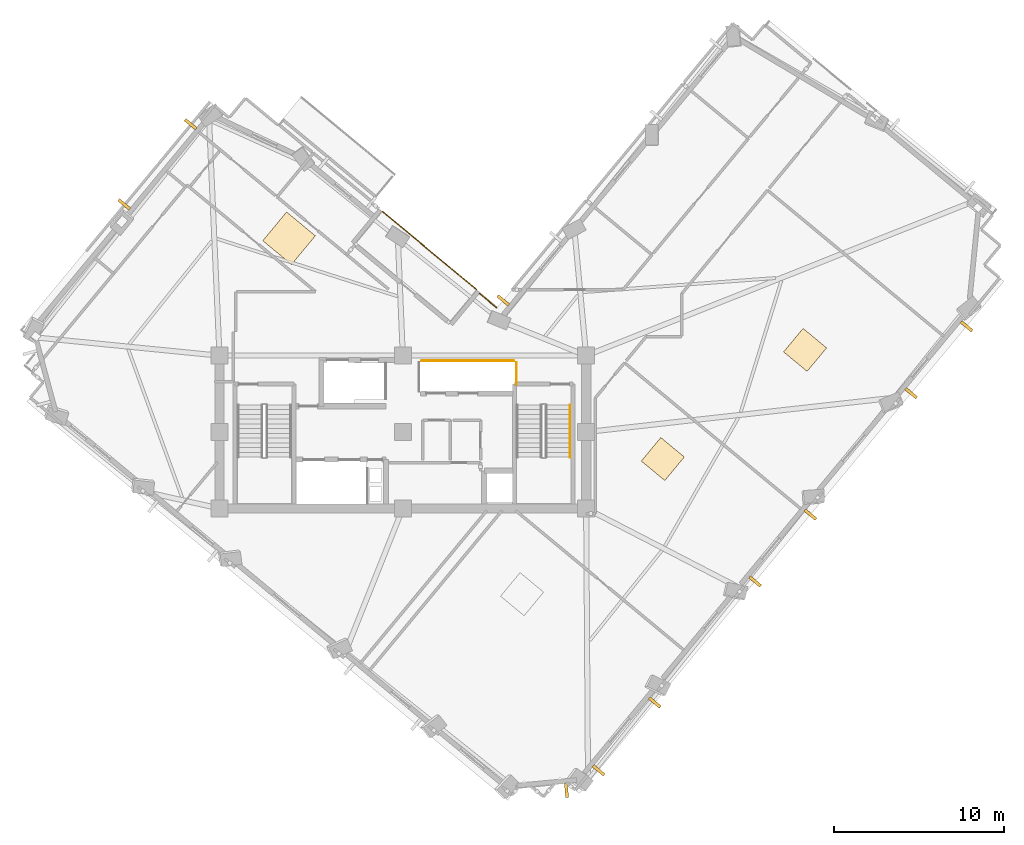
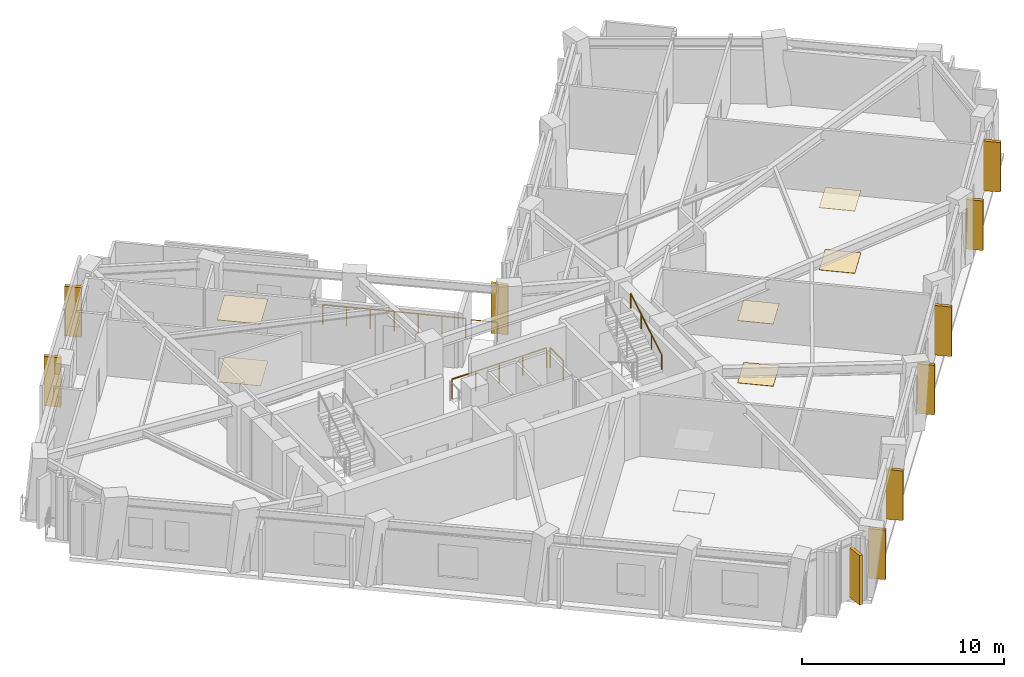
# One storey, part 9 of 10: 10 shading devices, 6 coverings, 5 railings.
"""IFC4 building model written with IfcOpenShell, lengths in metres."""

from ifc_helpers import new_model, si_unit, direction, frame, origin, origin_2d, place, context, subcontext, project, spatial, rectangle, circle, extrude, material, layer, layer_set, type_object, element, save


model = new_model("IFC4")

# Units and contexts
model_context = context("Model", 3, precision=1e-05, world=origin(), true_north=direction((0.0, 1.0)))
body_context = subcontext(model_context, "Body", "Model", "MODEL_VIEW")
ifc_project = project(units=[si_unit("LENGTHUNIT", "METRE"), si_unit("AREAUNIT", "SQUARE_METRE"), si_unit("VOLUMEUNIT", "CUBIC_METRE"), si_unit("PLANEANGLEUNIT", "RADIAN"), si_unit("MASSUNIT", "GRAM", prefix="KILO")], contexts=[model_context])

# Site, building, storey
site_placement = place(None, origin())
site = spatial("IfcSite", under=ifc_project, at=site_placement, CompositionType="ELEMENT")
building_placement = place(site_placement, origin())
building = spatial("IfcBuilding", under=site, at=building_placement, Name="Gaonmaruhae Medical Tower", CompositionType="ELEMENT")
storey_placement = place(building_placement, frame((0.0, 0.0, 239.199951171875)))
storey = spatial("IfcBuildingStorey", under=building, at=storey_placement, Name="L57", CompositionType="ELEMENT", Elevation=239.199951171875)

# Coverings
ifc_material_1 = material(Name="Acoustic mineral ceiling tile", Category="finish")
ifc_layer_1 = layer(ifc_material_1, 0.02490234375)
ifc_layer_set_1 = layer_set([ifc_layer_1], Name="Acoustic mineral ceiling tile")
covering_type_1 = type_object("IfcCoveringType", Name="CLG-01 Antimicrobial Acoustic Mineral Ceiling", PredefinedType="CEILING", material=ifc_layer_set_1)
covering_1_placement = place(storey_placement, frame((18.0986328125, 23.71728515625, 3.735107421875), z_axis=(0.0, 0.0, 1.0), x_axis=(0.638096146601, 0.769956692089, 0.0)))
element("IfcCovering", 1, at=covering_1_placement, inside=storey, type_object=covering_type_1, Name="L57 Clinical Corridor Acoustic Ceiling", PredefinedType="CEILING", context=body_context, shape_type="SweptSolid", body=[
    extrude(rectangle(XDim=2.199951171875, YDim=2.199951171875, at=origin_2d()), origin(), (0.0, 0.0, 1.0), 0.02490234375),
])
for number, where, z_axis, x_axis, name in (
    (2, (40.1162109375, 10.712158203125, 3.755126953125), (0.0, 0.0, 1.0), (0.638096146601, 0.769956692089, 0.0), "L57 Clinical Room Acoustic Ceiling 3"),
    (3, (48.498779296875, 17.14111328125, 3.755126953125), (0.0, 0.0, 1.0), (0.638096146601, 0.769956692089, 0.0), "L57 Clinical Room Acoustic Ceiling 4"),
):
    element("IfcCovering", number, at=place(storey_placement, frame(where, z_axis=z_axis, x_axis=x_axis)), inside=storey, type_object=covering_type_1, Name=name, PredefinedType="CEILING", context=body_context, shape_type="SweptSolid", body=[
        extrude(rectangle(XDim=1.800048828125, YDim=1.800048828125, at=origin_2d()), origin(), (0.0, 0.0, 1.0), 0.02490234375),
    ])
ifc_material_2 = material(Name="Seamless clinical vinyl flooring", Category="finish")
ifc_layer_2 = layer(ifc_material_2, 0.014892578125)
ifc_layer_set_2 = layer_set([ifc_layer_2], Name="Seamless clinical vinyl flooring")
covering_type_2 = type_object("IfcCoveringType", Name="FLR-01 Seamless Clinical Antistatic Vinyl Flooring", PredefinedType="FLOORING", material=ifc_layer_set_2)
covering_2_placement = place(storey_placement, frame((18.0986328125, 23.71728515625, 0.00048828125), z_axis=(0.0, 0.0, 1.0), x_axis=(0.638096146601, 0.769956692089, 0.0)))
element("IfcCovering", 4, at=covering_2_placement, inside=storey, type_object=covering_type_2, Name="L57 Clinical Corridor Vinyl Flooring", PredefinedType="FLOORING", context=body_context, shape_type="SweptSolid", body=[
    extrude(rectangle(XDim=2.199951171875, YDim=2.199951171875, at=origin_2d()), origin(), (0.0, 0.0, 1.0), 0.014892578125),
])
for number, where, z_axis, x_axis, name in (
    (5, (40.1162109375, 10.712158203125, 0.0), (0.0, 0.0, 1.0), (0.638096146601, 0.769956692089, 0.0), "L57 Clinical Room Vinyl Flooring 3"),
    (6, (48.498779296875, 17.14111328125, 0.0), (0.0, 0.0, 1.0), (0.638096146601, 0.769956692089, 0.0), "L57 Clinical Room Vinyl Flooring 4"),
):
    element("IfcCovering", number, at=place(storey_placement, frame(where, z_axis=z_axis, x_axis=x_axis)), inside=storey, type_object=covering_type_2, Name=name, PredefinedType="FLOORING", context=body_context, shape_type="SweptSolid", body=[
        extrude(rectangle(XDim=1.800048828125, YDim=1.800048828125, at=origin_2d()), origin(), (0.0, 0.0, 1.0), 0.014892578125),
    ])

# Railings
ifc_material_3 = material(Name="Stainless steel 316L and laminated safety glass", Category="steel")
ifc_layer_3 = layer(ifc_material_3, 0.080078125)
ifc_layer_set_3 = layer_set([ifc_layer_3], Name="Stainless steel 316L and laminated safety glass")
railing_type_1 = type_object("IfcRailingType", Name="GD-120 Outdoor Terrace Safety Glass & Steel Balustrade", PredefinedType="BALUSTRADE", material=ifc_layer_set_3)
railing_1_placement = place(storey_placement, frame((29.142333984375, 20.70166015625, 0.0)))
element("IfcRailing", 7, at=railing_1_placement, inside=storey, type_object=railing_type_1, Name="L57 Terrace Safety Guard RL-SLB-L57-TER-02", PredefinedType="BALUSTRADE", context=body_context, shape_type="SweptSolid", body=[
    extrude(circle(Radius=0.02392578125, at=origin_2d()), frame((0.0, 0.0, 1.17578125), z_axis=(-0.769961109659, 0.638090816117, 0.0), x_axis=(-0.638090816117, -0.769961109659, 0.0)), (0.0, 0.0, 1.0), 7.199951171875),
    extrude(circle(Radius=0.02099609375, at=origin_2d()), origin(), (0.0, 0.0, 1.0), 1.15185546875),
    extrude(circle(Radius=0.02099609375, at=origin_2d()), frame((-0.923828125, 0.765625, 0.0)), (0.0, 0.0, 1.0), 1.15185546875),
    extrude(circle(Radius=0.02099609375, at=origin_2d()), frame((-1.847900390625, 1.531494140625, 0.0)), (0.0, 0.0, 1.0), 1.15185546875),
    extrude(circle(Radius=0.02099609375, at=origin_2d()), frame((-2.77197265625, 2.297119140625, 0.0)), (0.0, 0.0, 1.0), 1.15185546875),
    extrude(circle(Radius=0.02099609375, at=origin_2d()), frame((-3.69580078125, 3.062744140625, 0.0)), (0.0, 0.0, 1.0), 1.15185546875),
    extrude(circle(Radius=0.02099609375, at=origin_2d()), frame((-4.61962890625, 3.82861328125, 0.0)), (0.0, 0.0, 1.0), 1.15185546875),
    extrude(circle(Radius=0.02099609375, at=origin_2d()), frame((-5.543701171875, 4.59423828125, 0.0)), (0.0, 0.0, 1.0), 1.15185546875),
])
railing_2_placement = place(storey_placement, frame((29.312744140625, 20.469482421875, 0.0)))
element("IfcRailing", 8, at=railing_2_placement, inside=storey, type_object=railing_type_1, Name="L57 Perimeter Slab Edge Safety Balustrade 11", PredefinedType="BALUSTRADE", context=body_context, shape_type="SweptSolid", body=[
    extrude(circle(Radius=0.02392578125, at=origin_2d()), frame((0.0, 0.0, 1.17578125), z_axis=(0.76997994986, -0.638068081645, 0.0), x_axis=(0.638068081645, 0.76997994986, 0.0)), (0.0, 0.0, 1.0), 1.31787109375),
    extrude(circle(Radius=0.02099609375, at=origin_2d()), origin(), (0.0, 0.0, 1.0), 1.15185546875),
    extrude(circle(Radius=0.02099609375, at=origin_2d()), frame((1.0146484375, -0.8408203125, 0.0)), (0.0, 0.0, 1.0), 1.15185546875),
])
ifc_material_4 = material(Name="Stainless steel 304 handrail", Category="steel")
railing_type_2 = type_object("IfcRailingType", Name="HR-092 Continuous Stainless Steel Stair Handrail", PredefinedType="HANDRAIL", material=ifc_material_4)
railing_3_placement = place(storey_placement, frame((34.64990234375, 10.820068359375, 2.166748046875)))
element("IfcRailing", 9, at=railing_3_placement, inside=storey, type_object=railing_type_2, Name="L57 ST-02 stair handrail 2", PredefinedType="HANDRAIL", context=body_context, shape_type="SweptSolid", body=[
    extrude(circle(Radius=0.02392578125, at=origin_2d()), frame((0.0, 0.0, 0.8759765625), z_axis=(0.0, 0.859290745958, 0.51148745235), x_axis=(-1.0, 0.0, 0.0)), (0.0, 0.0, 1.0), 3.584228515625),
    extrude(circle(Radius=0.02099609375, at=origin_2d()), origin(), (0.0, 0.0, 1.0), 0.851806640625),
    extrude(circle(Radius=0.02099609375, at=origin_2d()), frame((0.0, 1.026611328125, 0.611083984375)), (0.0, 0.0, 1.0), 0.851806640625),
    extrude(circle(Radius=0.02099609375, at=origin_2d()), frame((0.0, 2.05322265625, 1.22216796875)), (0.0, 0.0, 1.0), 0.851806640625),
    extrude(circle(Radius=0.02099609375, at=origin_2d()), frame((0.0, 3.079833984375, 1.833251953125)), (0.0, 0.0, 1.0), 0.851806640625),
])

# Shading devices
ifc_material_5 = material(Name="Pigmented coral precast concrete C45/55", Category="concrete")
shading_device_type = type_object("IfcShadingDeviceType", Name="SD-FIN1 Tower Vertical Coral Precast Shading Fin", PredefinedType="USERDEFINED", material=ifc_material_5)
for number, where, z_axis, x_axis, name in (
    (10, (39.642578125, -3.63232421875, 0.132568359375), (0.0, 0.0, 1.0), (-0.638096146601, -0.769956692089, 0.0), "L57 Vertical Coral Precast Shading Fin S01"),
    (11, (36.333984375, -7.62451171875, 0.132568359375), (0.0, 0.0, 1.0), (-0.638096146601, -0.769956692089, 0.0), "L57 Vertical Coral Precast Shading Fin S01B"),
    (12, (48.814208984375, 7.434814453125, 0.132568359375), (0.0, 0.0, 1.0), (-0.638096146601, -0.769956692089, 0.0), "L57 Vertical Coral Precast Shading Fin S03"),
    (13, (45.551513671875, 3.497802734375, 0.132568359375), (0.0, 0.0, 1.0), (-0.638096146601, -0.769956692089, 0.0), "L57 Vertical Coral Precast Shading Fin S03B"),
    (14, (58.009521484375, 18.530517578125, 0.132568359375), (0.0, 0.0, 1.0), (-0.638082708225, -0.769967828851, 0.0), "L57 Vertical Coral Precast Shading Fin S05"),
    (15, (54.74365234375, 14.58935546875, 0.132568359375), (0.0, 0.0, 1.0), (-0.638082708225, -0.769967828851, 0.0), "L57 Vertical Coral Precast Shading Fin S05B"),
    (16, (30.713623046875, 20.055908203125, 0.132568359375), (0.0, 0.0, 1.0), (0.638096146601, 0.769956692089, 0.0), "L57 Vertical Coral Precast Shading Fin EN02"),
    (17, (8.38671875, 25.711669921875, 0.132568359375), (0.0, 0.0, 1.0), (0.638096146601, 0.769956692089, 0.0), "L57 Vertical Coral Precast Shading Fin N01"),
    (18, (12.30078125, 30.434814453125, 0.132568359375), (0.0, 0.0, 1.0), (0.638096146601, 0.769956692089, 0.0), "L57 Vertical Coral Precast Shading Fin N01B"),
    (19, (34.4423828125, -8.79931640625, 0.132568359375), (0.0, 0.0, 1.0), (-0.995643710507, -0.093239485886, 0.0), "L57 Vertical Coral Precast Shading Fin W06"),
):
    element("IfcShadingDevice", number, at=place(storey_placement, frame(where, z_axis=z_axis, x_axis=x_axis)), inside=storey, type_object=shading_device_type, Name=name, ObjectType="FIN", PredefinedType="USERDEFINED", context=body_context, shape_type="SweptSolid", body=[
        extrude(rectangle(XDim=0.179931640625, YDim=0.85009765625, at=origin_2d()), origin(), (0.0, 0.0, 1.0), 3.0),
    ])

# Railings
ifc_material_6 = material(Name="Stainless steel 304 balustrade", Category="steel")
railing_type_3 = type_object("IfcRailingType", Name="SG-112 Stair Well & Ramp Void Safety Balustrade", PredefinedType="BALUSTRADE", material=ifc_material_6)
railing_4_placement = place(storey_placement, frame((31.4951171875, 16.405029296875, 0.0)))
element("IfcRailing", 20, at=railing_4_placement, inside=storey, type_object=railing_type_3, Name="L57 Shaft Edge Safety Guard 15", PredefinedType="BALUSTRADE", context=body_context, shape_type="SweptSolid", body=[
    extrude(circle(Radius=0.02392578125, at=origin_2d()), frame((0.0, 0.0, 1.17578125), z_axis=(0.0, -1.0, 0.0), x_axis=(1.0, 0.0, 0.0)), (0.0, 0.0, 1.0), 1.284912109375),
    extrude(circle(Radius=0.02099609375, at=origin_2d()), origin(), (0.0, 0.0, 1.0), 1.15185546875),
    extrude(circle(Radius=0.02099609375, at=origin_2d()), frame((0.0, -1.284912109375, 0.0)), (0.0, 0.0, 1.0), 1.15185546875),
])
railing_5_placement = place(storey_placement, frame((25.919921875, 16.4951171875, 0.0)))
element("IfcRailing", 21, at=railing_5_placement, inside=storey, type_object=railing_type_3, Name="L57 Shaft Edge Safety Guard 17", PredefinedType="BALUSTRADE", context=body_context, shape_type="SweptSolid", body=[
    extrude(circle(Radius=0.02392578125, at=origin_2d()), frame((0.0, 0.0, 1.17578125), z_axis=(1.0, 0.0, 0.0), x_axis=(0.0, 1.0, 0.0)), (0.0, 0.0, 1.0), 5.41015625),
    extrude(circle(Radius=0.02099609375, at=origin_2d()), origin(), (0.0, 0.0, 1.0), 1.15185546875),
    extrude(circle(Radius=0.02099609375, at=origin_2d()), frame((1.3525390625, 0.0, 0.0)), (0.0, 0.0, 1.0), 1.15185546875),
    extrude(circle(Radius=0.02099609375, at=origin_2d()), frame((2.705078125, 0.0, 0.0)), (0.0, 0.0, 1.0), 1.15185546875),
    extrude(circle(Radius=0.02099609375, at=origin_2d()), frame((4.0576171875, 0.0, 0.0)), (0.0, 0.0, 1.0), 1.15185546875),
    extrude(circle(Radius=0.02099609375, at=origin_2d()), frame((5.41015625, 0.0, 0.0)), (0.0, 0.0, 1.0), 1.15185546875),
])

save(model, "model.ifc")
